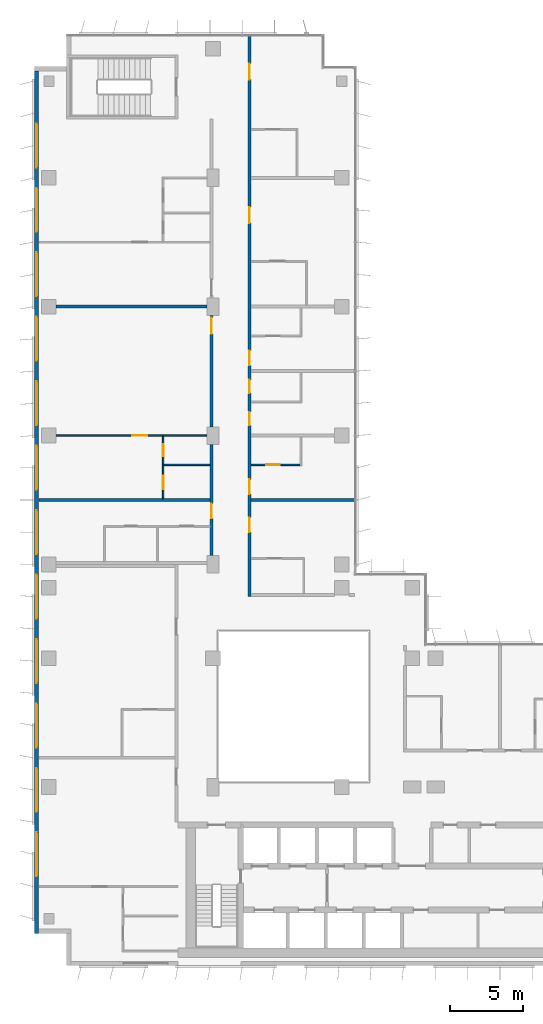
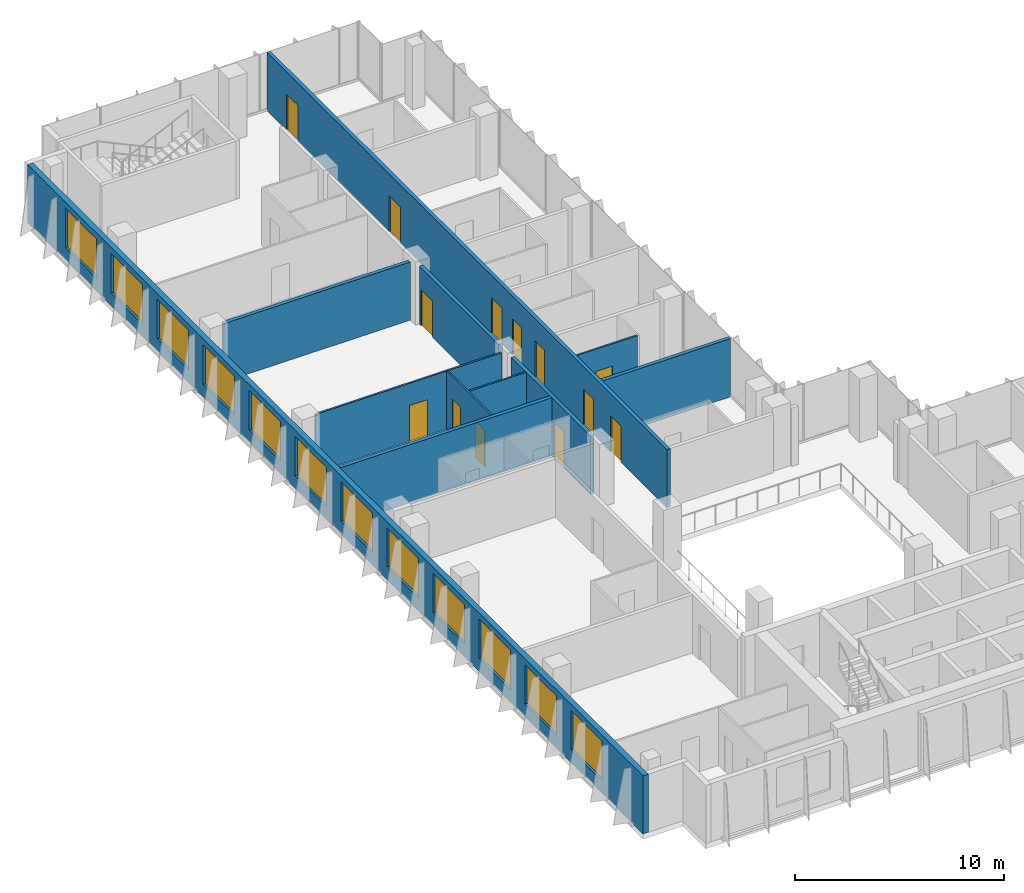
# One storey, part 16 of 21: 13 doors, 12 windows, 11 walls, 25 openings.
"""IFC4 building model written with IfcOpenShell, lengths in metres."""

from ifc_helpers import new_model, si_unit, direction, frame, frame_2d, origin, place, context, subcontext, project, spatial, rectangle, extrude, material, layer, layer_set, type_object, element, fill, save


model = new_model("IFC4")

# Units and contexts
model_context = context("Model", 3, precision=1e-05, world=origin(), true_north=direction((0.0, 1.0)))
body_context = subcontext(model_context, "Body", "Model", "MODEL_VIEW")
ifc_project = project(units=[si_unit("LENGTHUNIT", "METRE"), si_unit("AREAUNIT", "SQUARE_METRE"), si_unit("VOLUMEUNIT", "CUBIC_METRE"), si_unit("PLANEANGLEUNIT", "RADIAN"), si_unit("MASSUNIT", "GRAM", prefix="KILO")], contexts=[model_context])

# Site, building, storey
site_placement = place(None, origin())
site = spatial("IfcSite", under=ifc_project, at=site_placement, CompositionType="ELEMENT")
building_placement = place(site_placement, origin())
building = spatial("IfcBuilding", under=site, at=building_placement, Name="Kemantara Hotel Tower", CompositionType="ELEMENT")
storey_placement = place(building_placement, frame((0.0, 0.0, 171.60009765625)))
storey = spatial("IfcBuildingStorey", under=building, at=storey_placement, Name="L42", CompositionType="ELEMENT", Elevation=171.60009765625)

# Wall, openings, windows
ifc_material_1 = material(Name="Bronze anodised aluminium cladding on insulated steel stud wall", Category="steel")
ifc_layer_1 = layer(ifc_material_1, 0.300048828125)
ifc_layer_set_1 = layer_set([ifc_layer_1], Name="Bronze anodised aluminium cladding on insulated steel stud wall")
wall_type_1 = type_object("IfcWallType", Name="BRONZE METAL-CLAD EXTERNAL WALL 300", PredefinedType="STANDARD", material=ifc_layer_set_1)
wall_1_placement = place(storey_placement, frame((0.14990234375, 61.10009765625, 0.0), z_axis=(0.0, 0.0, 1.0), x_axis=(0.0, -1.0, 0.0)))
wall_1 = element("IfcWall", 1, at=wall_1_placement, inside=storey, type_object=wall_type_1, Name="EXTERNAL WALL L42 T3-R05", PredefinedType="STANDARD", context=body_context, shape_type="SweptSolid", body=[
    extrude(rectangle(XDim=58.900146484375, YDim=0.300048828125, at=frame_2d((29.4501953125, 0.0))), origin(), (0.0, 0.0, 1.0), 3.39990234375),
])
opening_1_placement = place(wall_1_placement, frame((3.60009765625, 0.0, 0.75)))
opening_1 = element("IfcOpeningElement", 2, at=opening_1_placement, cuts=wall_1, Name="Opening W1", PredefinedType="OPENING", context=body_context, shape_type="SweptSolid", body=[
    extrude(rectangle(XDim=3.0, YDim=2.300048828125, at=frame_2d((1.5, 1.14990234375))), frame((0.0, 0.159912109375, 0.0), z_axis=(0.0, -1.0, 0.0), x_axis=(1.0, 0.0, 0.0)), (0.0, 0.0, 1.0), 0.320068359375),
])
opening_2_placement = place(wall_1_placement, frame((8.0, 0.0, 0.75)))
opening_2 = element("IfcOpeningElement", 3, at=opening_2_placement, cuts=wall_1, Name="Opening W1", PredefinedType="OPENING", context=body_context, shape_type="SweptSolid", body=[
    extrude(rectangle(XDim=3.0, YDim=2.300048828125, at=frame_2d((1.5, 1.14990234375))), frame((0.0, 0.159912109375, 0.0), z_axis=(0.0, -1.0, 0.0), x_axis=(1.0, 0.0, 0.0)), (0.0, 0.0, 1.0), 0.320068359375),
])
opening_3_placement = place(wall_1_placement, frame((12.39990234375, 0.0, 0.75)))
opening_3 = element("IfcOpeningElement", 4, at=opening_3_placement, cuts=wall_1, Name="Opening W1", PredefinedType="OPENING", context=body_context, shape_type="SweptSolid", body=[
    extrude(rectangle(XDim=3.0, YDim=2.300048828125, at=frame_2d((1.5, 1.14990234375))), frame((0.0, 0.159912109375, 0.0), z_axis=(0.0, -1.0, 0.0), x_axis=(1.0, 0.0, 0.0)), (0.0, 0.0, 1.0), 0.320068359375),
])
opening_4_placement = place(wall_1_placement, frame((16.800048828125, 0.0, 0.75)))
opening_4 = element("IfcOpeningElement", 5, at=opening_4_placement, cuts=wall_1, Name="Opening W1", PredefinedType="OPENING", context=body_context, shape_type="SweptSolid", body=[
    extrude(rectangle(XDim=3.0, YDim=2.300048828125, at=frame_2d((1.5, 1.14990234375))), frame((0.0, 0.159912109375, 0.0), z_axis=(0.0, -1.0, 0.0), x_axis=(1.0, 0.0, 0.0)), (0.0, 0.0, 1.0), 0.320068359375),
])
opening_5_placement = place(wall_1_placement, frame((21.199951171875, 0.0, 0.75)))
opening_5 = element("IfcOpeningElement", 6, at=opening_5_placement, cuts=wall_1, Name="Opening W1", PredefinedType="OPENING", context=body_context, shape_type="SweptSolid", body=[
    extrude(rectangle(XDim=3.0, YDim=2.300048828125, at=frame_2d((1.5, 1.14990234375))), frame((0.0, 0.159912109375, 0.0), z_axis=(0.0, -1.0, 0.0), x_axis=(1.0, 0.0, 0.0)), (0.0, 0.0, 1.0), 0.320068359375),
])
opening_6_placement = place(wall_1_placement, frame((25.60009765625, 0.0, 0.75)))
opening_6 = element("IfcOpeningElement", 7, at=opening_6_placement, cuts=wall_1, Name="Opening W1", PredefinedType="OPENING", context=body_context, shape_type="SweptSolid", body=[
    extrude(rectangle(XDim=3.0, YDim=2.300048828125, at=frame_2d((1.5, 1.14990234375))), frame((0.0, 0.159912109375, 0.0), z_axis=(0.0, -1.0, 0.0), x_axis=(1.0, 0.0, 0.0)), (0.0, 0.0, 1.0), 0.320068359375),
])
opening_7_placement = place(wall_1_placement, frame((30.0, 0.0, 0.75)))
opening_7 = element("IfcOpeningElement", 8, at=opening_7_placement, cuts=wall_1, Name="Opening W1", PredefinedType="OPENING", context=body_context, shape_type="SweptSolid", body=[
    extrude(rectangle(XDim=3.0, YDim=2.300048828125, at=frame_2d((1.5, 1.14990234375))), frame((0.0, 0.159912109375, 0.0), z_axis=(0.0, -1.0, 0.0), x_axis=(1.0, 0.0, 0.0)), (0.0, 0.0, 1.0), 0.320068359375),
])
opening_8_placement = place(wall_1_placement, frame((34.39990234375, 0.0, 0.75)))
opening_8 = element("IfcOpeningElement", 9, at=opening_8_placement, cuts=wall_1, Name="Opening W1", PredefinedType="OPENING", context=body_context, shape_type="SweptSolid", body=[
    extrude(rectangle(XDim=3.0, YDim=2.300048828125, at=frame_2d((1.5, 1.14990234375))), frame((0.0, 0.159912109375, 0.0), z_axis=(0.0, -1.0, 0.0), x_axis=(1.0, 0.0, 0.0)), (0.0, 0.0, 1.0), 0.320068359375),
])
opening_9_placement = place(wall_1_placement, frame((38.800048828125, 0.0, 0.75)))
opening_9 = element("IfcOpeningElement", 10, at=opening_9_placement, cuts=wall_1, Name="Opening W1", PredefinedType="OPENING", context=body_context, shape_type="SweptSolid", body=[
    extrude(rectangle(XDim=3.0, YDim=2.300048828125, at=frame_2d((1.5, 1.14990234375))), frame((0.0, 0.159912109375, 0.0), z_axis=(0.0, -1.0, 0.0), x_axis=(1.0, 0.0, 0.0)), (0.0, 0.0, 1.0), 0.320068359375),
])
opening_10_placement = place(wall_1_placement, frame((43.199951171875, 0.0, 0.75)))
opening_10 = element("IfcOpeningElement", 11, at=opening_10_placement, cuts=wall_1, Name="Opening W1", PredefinedType="OPENING", context=body_context, shape_type="SweptSolid", body=[
    extrude(rectangle(XDim=3.0, YDim=2.300048828125, at=frame_2d((1.5, 1.14990234375))), frame((0.0, 0.159912109375, 0.0), z_axis=(0.0, -1.0, 0.0), x_axis=(1.0, 0.0, 0.0)), (0.0, 0.0, 1.0), 0.320068359375),
])
opening_11_placement = place(wall_1_placement, frame((47.60009765625, 0.0, 0.75)))
opening_11 = element("IfcOpeningElement", 12, at=opening_11_placement, cuts=wall_1, Name="Opening W1", PredefinedType="OPENING", context=body_context, shape_type="SweptSolid", body=[
    extrude(rectangle(XDim=3.0, YDim=2.300048828125, at=frame_2d((1.5, 1.14990234375))), frame((0.0, 0.159912109375, 0.0), z_axis=(0.0, -1.0, 0.0), x_axis=(1.0, 0.0, 0.0)), (0.0, 0.0, 1.0), 0.320068359375),
])
opening_12_placement = place(wall_1_placement, frame((52.0, 0.0, 0.75)))
opening_12 = element("IfcOpeningElement", 13, at=opening_12_placement, cuts=wall_1, Name="Opening W1", PredefinedType="OPENING", context=body_context, shape_type="SweptSolid", body=[
    extrude(rectangle(XDim=3.0, YDim=2.300048828125, at=frame_2d((1.5, 1.14990234375))), frame((0.0, 0.159912109375, 0.0), z_axis=(0.0, -1.0, 0.0), x_axis=(1.0, 0.0, 0.0)), (0.0, 0.0, 1.0), 0.320068359375),
])
ifc_material_2 = material(Name="Low-E tinted double insulated glass in bronze anodised aluminium frame", Category="aluminium")
window_type = type_object("IfcWindowType", Name="CHICAGO WINDOW, TRIPLE PANEL 3000x2300", PartitioningType="TRIPLE_PANEL_VERTICAL", PredefinedType="WINDOW", material=ifc_material_2)
window_1_placement = place(opening_1_placement, origin())
window_1 = element("IfcWindow", 14, at=window_1_placement, inside=storey, type_object=window_type, Name="CHICAGO WINDOW L42 T3-R05-54", OverallHeight=2.300048828125, OverallWidth=3.0, PartitioningType="SINGLE_PANEL", PredefinedType="WINDOW", context=body_context, shape_type="SweptSolid", body=[
    extrude(rectangle(XDim=3.0, YDim=2.300048828125, at=frame_2d((1.5, 1.14990234375))), frame((0.0, 0.030029296875, 0.0), z_axis=(0.0, -1.0, 0.0), x_axis=(1.0, 0.0, 0.0)), (0.0, 0.0, 1.0), 0.06005859375),
])
fill(opening_1, window_1)
window_2_placement = place(opening_2_placement, origin())
window_2 = element("IfcWindow", 15, at=window_2_placement, inside=storey, type_object=window_type, Name="CHICAGO WINDOW L42 T3-R05-98", OverallHeight=2.300048828125, OverallWidth=3.0, PartitioningType="SINGLE_PANEL", PredefinedType="WINDOW", context=body_context, shape_type="SweptSolid", body=[
    extrude(rectangle(XDim=3.0, YDim=2.300048828125, at=frame_2d((1.5, 1.14990234375))), frame((0.0, 0.030029296875, 0.0), z_axis=(0.0, -1.0, 0.0), x_axis=(1.0, 0.0, 0.0)), (0.0, 0.0, 1.0), 0.06005859375),
])
fill(opening_2, window_2)
window_3_placement = place(opening_3_placement, origin())
window_3 = element("IfcWindow", 16, at=window_3_placement, inside=storey, type_object=window_type, Name="CHICAGO WINDOW L42 T3-R05-142", OverallHeight=2.300048828125, OverallWidth=3.0, PartitioningType="SINGLE_PANEL", PredefinedType="WINDOW", context=body_context, shape_type="SweptSolid", body=[
    extrude(rectangle(XDim=3.0, YDim=2.300048828125, at=frame_2d((1.5, 1.14990234375))), frame((0.0, 0.030029296875, 0.0), z_axis=(0.0, -1.0, 0.0), x_axis=(1.0, 0.0, 0.0)), (0.0, 0.0, 1.0), 0.06005859375),
])
fill(opening_3, window_3)
window_4_placement = place(opening_4_placement, origin())
window_4 = element("IfcWindow", 17, at=window_4_placement, inside=storey, type_object=window_type, Name="CHICAGO WINDOW L42 T3-R05-186", OverallHeight=2.300048828125, OverallWidth=3.0, PartitioningType="SINGLE_PANEL", PredefinedType="WINDOW", context=body_context, shape_type="SweptSolid", body=[
    extrude(rectangle(XDim=3.0, YDim=2.300048828125, at=frame_2d((1.5, 1.14990234375))), frame((0.0, 0.030029296875, 0.0), z_axis=(0.0, -1.0, 0.0), x_axis=(1.0, 0.0, 0.0)), (0.0, 0.0, 1.0), 0.06005859375),
])
fill(opening_4, window_4)
window_5_placement = place(opening_5_placement, origin())
window_5 = element("IfcWindow", 18, at=window_5_placement, inside=storey, type_object=window_type, Name="CHICAGO WINDOW L42 T3-R05-230", OverallHeight=2.300048828125, OverallWidth=3.0, PartitioningType="SINGLE_PANEL", PredefinedType="WINDOW", context=body_context, shape_type="SweptSolid", body=[
    extrude(rectangle(XDim=3.0, YDim=2.300048828125, at=frame_2d((1.5, 1.14990234375))), frame((0.0, 0.030029296875, 0.0), z_axis=(0.0, -1.0, 0.0), x_axis=(1.0, 0.0, 0.0)), (0.0, 0.0, 1.0), 0.06005859375),
])
fill(opening_5, window_5)
window_6_placement = place(opening_6_placement, origin())
window_6 = element("IfcWindow", 19, at=window_6_placement, inside=storey, type_object=window_type, Name="CHICAGO WINDOW L42 T3-R05-274", OverallHeight=2.300048828125, OverallWidth=3.0, PartitioningType="SINGLE_PANEL", PredefinedType="WINDOW", context=body_context, shape_type="SweptSolid", body=[
    extrude(rectangle(XDim=3.0, YDim=2.300048828125, at=frame_2d((1.5, 1.14990234375))), frame((0.0, 0.030029296875, 0.0), z_axis=(0.0, -1.0, 0.0), x_axis=(1.0, 0.0, 0.0)), (0.0, 0.0, 1.0), 0.06005859375),
])
fill(opening_6, window_6)
window_7_placement = place(opening_7_placement, origin())
window_7 = element("IfcWindow", 20, at=window_7_placement, inside=storey, type_object=window_type, Name="CHICAGO WINDOW L42 T3-R05-318", OverallHeight=2.300048828125, OverallWidth=3.0, PartitioningType="SINGLE_PANEL", PredefinedType="WINDOW", context=body_context, shape_type="SweptSolid", body=[
    extrude(rectangle(XDim=3.0, YDim=2.300048828125, at=frame_2d((1.5, 1.14990234375))), frame((0.0, 0.030029296875, 0.0), z_axis=(0.0, -1.0, 0.0), x_axis=(1.0, 0.0, 0.0)), (0.0, 0.0, 1.0), 0.06005859375),
])
fill(opening_7, window_7)
window_8_placement = place(opening_8_placement, origin())
window_8 = element("IfcWindow", 21, at=window_8_placement, inside=storey, type_object=window_type, Name="CHICAGO WINDOW L42 T3-R05-362", OverallHeight=2.300048828125, OverallWidth=3.0, PartitioningType="SINGLE_PANEL", PredefinedType="WINDOW", context=body_context, shape_type="SweptSolid", body=[
    extrude(rectangle(XDim=3.0, YDim=2.300048828125, at=frame_2d((1.5, 1.14990234375))), frame((0.0, 0.030029296875, 0.0), z_axis=(0.0, -1.0, 0.0), x_axis=(1.0, 0.0, 0.0)), (0.0, 0.0, 1.0), 0.06005859375),
])
fill(opening_8, window_8)
window_9_placement = place(opening_9_placement, origin())
window_9 = element("IfcWindow", 22, at=window_9_placement, inside=storey, type_object=window_type, Name="CHICAGO WINDOW L42 T3-R05-406", OverallHeight=2.300048828125, OverallWidth=3.0, PartitioningType="SINGLE_PANEL", PredefinedType="WINDOW", context=body_context, shape_type="SweptSolid", body=[
    extrude(rectangle(XDim=3.0, YDim=2.300048828125, at=frame_2d((1.5, 1.14990234375))), frame((0.0, 0.030029296875, 0.0), z_axis=(0.0, -1.0, 0.0), x_axis=(1.0, 0.0, 0.0)), (0.0, 0.0, 1.0), 0.06005859375),
])
fill(opening_9, window_9)
window_10_placement = place(opening_10_placement, origin())
window_10 = element("IfcWindow", 23, at=window_10_placement, inside=storey, type_object=window_type, Name="CHICAGO WINDOW L42 T3-R05-450", OverallHeight=2.300048828125, OverallWidth=3.0, PartitioningType="SINGLE_PANEL", PredefinedType="WINDOW", context=body_context, shape_type="SweptSolid", body=[
    extrude(rectangle(XDim=3.0, YDim=2.300048828125, at=frame_2d((1.5, 1.14990234375))), frame((0.0, 0.030029296875, 0.0), z_axis=(0.0, -1.0, 0.0), x_axis=(1.0, 0.0, 0.0)), (0.0, 0.0, 1.0), 0.06005859375),
])
fill(opening_10, window_10)
window_11_placement = place(opening_11_placement, origin())
window_11 = element("IfcWindow", 24, at=window_11_placement, inside=storey, type_object=window_type, Name="CHICAGO WINDOW L42 T3-R05-494", OverallHeight=2.300048828125, OverallWidth=3.0, PartitioningType="SINGLE_PANEL", PredefinedType="WINDOW", context=body_context, shape_type="SweptSolid", body=[
    extrude(rectangle(XDim=3.0, YDim=2.300048828125, at=frame_2d((1.5, 1.14990234375))), frame((0.0, 0.030029296875, 0.0), z_axis=(0.0, -1.0, 0.0), x_axis=(1.0, 0.0, 0.0)), (0.0, 0.0, 1.0), 0.06005859375),
])
fill(opening_11, window_11)
window_12_placement = place(opening_12_placement, origin())
window_12 = element("IfcWindow", 25, at=window_12_placement, inside=storey, type_object=window_type, Name="CHICAGO WINDOW L42 T3-R05-538", OverallHeight=2.300048828125, OverallWidth=3.0, PartitioningType="SINGLE_PANEL", PredefinedType="WINDOW", context=body_context, shape_type="SweptSolid", body=[
    extrude(rectangle(XDim=3.0, YDim=2.300048828125, at=frame_2d((1.5, 1.14990234375))), frame((0.0, 0.030029296875, 0.0), z_axis=(0.0, -1.0, 0.0), x_axis=(1.0, 0.0, 0.0)), (0.0, 0.0, 1.0), 0.06005859375),
])
fill(opening_12, window_12)

# Wall, opening, door
ifc_material_3 = material(Name="Gypsum board partition, steel studs and mineral wool, 200 mm", Category="steel")
ifc_layer_2 = layer(ifc_material_3, 0.199951171875)
ifc_layer_set_2 = layer_set([ifc_layer_2], Name="Gypsum board partition, steel studs and mineral wool, 200 mm")
wall_type_2 = type_object("IfcWallType", Name="CORRIDOR WALL 200", PredefinedType="PARTITIONING", material=ifc_layer_set_2)
wall_2_placement = place(storey_placement, frame((12.10009765625, 28.0, 0.0), z_axis=(0.0, 0.0, 1.0), x_axis=(0.0, 1.0, 0.0)))
wall_2 = element("IfcWall", 26, at=wall_2_placement, inside=storey, type_object=wall_type_2, Name="CORRIDOR WALL 200 016", PredefinedType="PARTITIONING", context=body_context, shape_type="SweptSolid", body=[
    extrude(rectangle(XDim=7.599853515625, YDim=0.199951171875, at=frame_2d((3.7998046875, 0.0))), origin(), (0.0, 0.0, 1.0), 3.39990234375),
])
opening_13_placement = place(wall_2_placement, frame((2.5498046875, 0.0, 0.0)))
opening_13 = element("IfcOpeningElement", 27, at=opening_13_placement, cuts=wall_2, Name="Opening F19-023", PredefinedType="OPENING", context=body_context, shape_type="SweptSolid", body=[
    extrude(rectangle(XDim=1.0, YDim=2.10009765625, at=frame_2d((0.5, 1.050048828125))), frame((0.0, 0.10986328125, 0.0), z_axis=(0.0, -1.0, 0.0), x_axis=(1.0, 0.0, 0.0)), (0.0, 0.0, 1.0), 0.219970703125),
])
ifc_material_4 = material(Name="Hardwood veneer door leaf with steel frame", Category="steel")
door_type_1 = type_object("IfcDoorType", Name="GUEST ROOM DOOR 1000 X 2100 FD30S", OperationType="NOTDEFINED", PredefinedType="DOOR", material=ifc_material_4)
door_1_placement = place(opening_13_placement, origin())
door_1 = element("IfcDoor", 28, at=door_1_placement, inside=storey, type_object=door_type_1, Name="GUEST ROOM DOOR F19-023", OperationType="SINGLE_SWING_RIGHT", OverallHeight=2.10009765625, OverallWidth=1.0, PredefinedType="DOOR", context=body_context, shape_type="SweptSolid", body=[
    extrude(rectangle(XDim=1.0, YDim=2.10009765625, at=frame_2d((0.5, 1.050048828125))), frame((0.0, 0.02490234375, 0.0), z_axis=(0.0, -1.0, 0.0), x_axis=(1.0, 0.0, 0.0)), (0.0, 0.0, 1.0), 0.050048828125),
])
fill(opening_13, door_1)

wall_3_placement = place(storey_placement, frame((12.10009765625, 36.800048828125, 0.0), z_axis=(0.0, 0.0, 1.0), x_axis=(0.0, 1.0, 0.0)))
wall_3 = element("IfcWall", 29, at=wall_3_placement, inside=storey, type_object=wall_type_2, Name="CORRIDOR WALL 200 017", PredefinedType="PARTITIONING", context=body_context, shape_type="SweptSolid", body=[
    extrude(rectangle(XDim=7.599853515625, YDim=0.199951171875, at=frame_2d((3.7998046875, 0.0))), origin(), (0.0, 0.0, 1.0), 3.39990234375),
])
opening_14_placement = place(wall_3_placement, frame((6.349853515625, 0.0, 0.0)))
opening_14 = element("IfcOpeningElement", 30, at=opening_14_placement, cuts=wall_3, Name="Opening F19-026", PredefinedType="OPENING", context=body_context, shape_type="SweptSolid", body=[
    extrude(rectangle(XDim=1.10009765625, YDim=2.10009765625, at=frame_2d((0.550048828125, 1.050048828125))), frame((0.0, 0.10986328125, 0.0), z_axis=(0.0, -1.0, 0.0), x_axis=(1.0, 0.0, 0.0)), (0.0, 0.0, 1.0), 0.219970703125),
])
door_type_2 = type_object("IfcDoorType", Name="SUITE ENTRANCE DOOR 1100 X 2100 FD30S", OperationType="NOTDEFINED", PredefinedType="DOOR", material=ifc_material_4)
door_2_placement = place(opening_14_placement, origin())
door_2 = element("IfcDoor", 31, at=door_2_placement, inside=storey, type_object=door_type_2, Name="SUITE ENTRANCE DOOR F19-026", OperationType="SINGLE_SWING_RIGHT", OverallHeight=2.10009765625, OverallWidth=1.10009765625, PredefinedType="DOOR", context=body_context, shape_type="SweptSolid", body=[
    extrude(rectangle(XDim=1.10009765625, YDim=2.10009765625, at=frame_2d((0.550048828125, 1.050048828125))), frame((0.0, 0.02490234375, 0.0), z_axis=(0.0, -1.0, 0.0), x_axis=(1.0, 0.0, 0.0)), (0.0, 0.0, 1.0), 0.050048828125),
])
fill(opening_14, door_2)

# Wall, openings, doors
wall_4_placement = place(storey_placement, frame((14.699951171875, 63.47998046875, 0.0), z_axis=(0.0, 0.0, 1.0), x_axis=(0.0, -1.0, 0.0)))
wall_4 = element("IfcWall", 32, at=wall_4_placement, inside=storey, type_object=wall_type_2, Name="CORRIDOR WALL 200 025", PredefinedType="PARTITIONING", context=body_context, shape_type="SweptSolid", body=[
    extrude(rectangle(XDim=38.280029296875, YDim=0.199951171875, at=frame_2d((19.14013671875, 0.0))), origin(), (0.0, 0.0, 1.0), 3.39990234375),
])
opening_15_placement = place(wall_4_placement, frame((32.8798828125, 0.0, 0.0)))
opening_15 = element("IfcOpeningElement", 33, at=opening_15_placement, cuts=wall_4, Name="Opening F19-034", PredefinedType="OPENING", context=body_context, shape_type="SweptSolid", body=[
    extrude(rectangle(XDim=1.0, YDim=2.10009765625, at=frame_2d((0.5, 1.050048828125))), frame((0.0, 0.10986328125, 0.0), z_axis=(0.0, -1.0, 0.0), x_axis=(1.0, 0.0, 0.0)), (0.0, 0.0, 1.0), 0.219970703125),
])
opening_16_placement = place(wall_4_placement, frame((30.27978515625, 0.0, 0.0)))
opening_16 = element("IfcOpeningElement", 34, at=opening_16_placement, cuts=wall_4, Name="Opening F19-036", PredefinedType="OPENING", context=body_context, shape_type="SweptSolid", body=[
    extrude(rectangle(XDim=1.0, YDim=2.10009765625, at=frame_2d((0.5, 1.050048828125))), frame((0.0, 0.10986328125, 0.0), z_axis=(0.0, -1.0, 0.0), x_axis=(1.0, 0.0, 0.0)), (0.0, 0.0, 1.0), 0.219970703125),
])
opening_17_placement = place(wall_4_placement, frame((25.679931640625, 0.0, 0.0)))
opening_17 = element("IfcOpeningElement", 35, at=opening_17_placement, cuts=wall_4, Name="Opening F19-038", PredefinedType="OPENING", context=body_context, shape_type="SweptSolid", body=[
    extrude(rectangle(XDim=0.89990234375, YDim=2.10009765625, at=frame_2d((0.449951171875, 1.050048828125))), frame((0.0, 0.10986328125, 0.0), z_axis=(0.0, -1.0, 0.0), x_axis=(1.0, 0.0, 0.0)), (0.0, 0.0, 1.0), 0.219970703125),
])
opening_18_placement = place(wall_4_placement, frame((23.47998046875, 0.0, 0.0)))
opening_18 = element("IfcOpeningElement", 36, at=opening_18_placement, cuts=wall_4, Name="Opening F19-039", PredefinedType="OPENING", context=body_context, shape_type="SweptSolid", body=[
    extrude(rectangle(XDim=0.89990234375, YDim=2.10009765625, at=frame_2d((0.449951171875, 1.050048828125))), frame((0.0, 0.10986328125, 0.0), z_axis=(0.0, -1.0, 0.0), x_axis=(1.0, 0.0, 0.0)), (0.0, 0.0, 1.0), 0.219970703125),
])
opening_19_placement = place(wall_4_placement, frame((21.47998046875, 0.0, 0.0)))
opening_19 = element("IfcOpeningElement", 37, at=opening_19_placement, cuts=wall_4, Name="Opening F19-040", PredefinedType="OPENING", context=body_context, shape_type="SweptSolid", body=[
    extrude(rectangle(XDim=1.0, YDim=2.10009765625, at=frame_2d((0.5, 1.050048828125))), frame((0.0, 0.10986328125, 0.0), z_axis=(0.0, -1.0, 0.0), x_axis=(1.0, 0.0, 0.0)), (0.0, 0.0, 1.0), 0.219970703125),
])
opening_20_placement = place(wall_4_placement, frame((11.679931640625, 0.0, 0.0)))
opening_20 = element("IfcOpeningElement", 38, at=opening_20_placement, cuts=wall_4, Name="Opening F19-042", PredefinedType="OPENING", context=body_context, shape_type="SweptSolid", body=[
    extrude(rectangle(XDim=1.10009765625, YDim=2.10009765625, at=frame_2d((0.550048828125, 1.050048828125))), frame((0.0, 0.10986328125, 0.0), z_axis=(0.0, -1.0, 0.0), x_axis=(1.0, 0.0, 0.0)), (0.0, 0.0, 1.0), 0.219970703125),
])
opening_21_placement = place(wall_4_placement, frame((1.8798828125, 0.0, 0.0)))
opening_21 = element("IfcOpeningElement", 39, at=opening_21_placement, cuts=wall_4, Name="Opening F19-044", PredefinedType="OPENING", context=body_context, shape_type="SweptSolid", body=[
    extrude(rectangle(XDim=1.10009765625, YDim=2.10009765625, at=frame_2d((0.550048828125, 1.050048828125))), frame((0.0, 0.10986328125, 0.0), z_axis=(0.0, -1.0, 0.0), x_axis=(1.0, 0.0, 0.0)), (0.0, 0.0, 1.0), 0.219970703125),
])
door_3_placement = place(opening_15_placement, origin())
door_3 = element("IfcDoor", 40, at=door_3_placement, inside=storey, type_object=door_type_1, Name="GUEST ROOM DOOR F19-034", OperationType="SINGLE_SWING_LEFT", OverallHeight=2.10009765625, OverallWidth=1.0, PredefinedType="DOOR", context=body_context, shape_type="SweptSolid", body=[
    extrude(rectangle(XDim=1.0, YDim=2.10009765625, at=frame_2d((0.5, 1.050048828125))), frame((0.0, 0.02490234375, 0.0), z_axis=(0.0, -1.0, 0.0), x_axis=(1.0, 0.0, 0.0)), (0.0, 0.0, 1.0), 0.050048828125),
])
fill(opening_15, door_3)
door_4_placement = place(opening_16_placement, origin())
door_4 = element("IfcDoor", 41, at=door_4_placement, inside=storey, type_object=door_type_1, Name="GUEST ROOM DOOR F19-036", OperationType="SINGLE_SWING_RIGHT", OverallHeight=2.10009765625, OverallWidth=1.0, PredefinedType="DOOR", context=body_context, shape_type="SweptSolid", body=[
    extrude(rectangle(XDim=1.0, YDim=2.10009765625, at=frame_2d((0.5, 1.050048828125))), frame((0.0, 0.02490234375, 0.0), z_axis=(0.0, -1.0, 0.0), x_axis=(1.0, 0.0, 0.0)), (0.0, 0.0, 1.0), 0.050048828125),
])
fill(opening_16, door_4)
door_5_placement = place(opening_19_placement, origin())
door_5 = element("IfcDoor", 42, at=door_5_placement, inside=storey, type_object=door_type_1, Name="GUEST ROOM DOOR F19-040", OperationType="SINGLE_SWING_RIGHT", OverallHeight=2.10009765625, OverallWidth=1.0, PredefinedType="DOOR", context=body_context, shape_type="SweptSolid", body=[
    extrude(rectangle(XDim=1.0, YDim=2.10009765625, at=frame_2d((0.5, 1.050048828125))), frame((0.0, 0.02490234375, 0.0), z_axis=(0.0, -1.0, 0.0), x_axis=(1.0, 0.0, 0.0)), (0.0, 0.0, 1.0), 0.050048828125),
])
fill(opening_19, door_5)
door_type_3 = type_object("IfcDoorType", Name="GUEST ROOM DOOR 1100 X 2100 FD30S", OperationType="NOTDEFINED", PredefinedType="DOOR", material=ifc_material_4)
door_6_placement = place(opening_20_placement, origin())
door_6 = element("IfcDoor", 43, at=door_6_placement, inside=storey, type_object=door_type_3, Name="GUEST ROOM DOOR F19-042", OperationType="SINGLE_SWING_LEFT", OverallHeight=2.10009765625, OverallWidth=1.10009765625, PredefinedType="DOOR", context=body_context, shape_type="SweptSolid", body=[
    extrude(rectangle(XDim=1.10009765625, YDim=2.10009765625, at=frame_2d((0.550048828125, 1.050048828125))), frame((0.0, 0.02490234375, 0.0), z_axis=(0.0, -1.0, 0.0), x_axis=(1.0, 0.0, 0.0)), (0.0, 0.0, 1.0), 0.050048828125),
])
fill(opening_20, door_6)
ifc_material_5 = material(Name="Steel door leaf with steel frame", Category="steel")
door_type_4 = type_object("IfcDoorType", Name="SERVICE ROOM DOOR 900 X 2100 FD60", OperationType="NOTDEFINED", PredefinedType="DOOR", material=ifc_material_5)
door_7_placement = place(opening_17_placement, origin())
door_7 = element("IfcDoor", 44, at=door_7_placement, inside=storey, type_object=door_type_4, Name="SERVICE ROOM DOOR F19-038", OperationType="SINGLE_SWING_RIGHT", OverallHeight=2.10009765625, OverallWidth=0.89990234375, PredefinedType="DOOR", context=body_context, shape_type="SweptSolid", body=[
    extrude(rectangle(XDim=0.89990234375, YDim=2.10009765625, at=frame_2d((0.449951171875, 1.050048828125))), frame((0.0, 0.02490234375, 0.0), z_axis=(0.0, -1.0, 0.0), x_axis=(1.0, 0.0, 0.0)), (0.0, 0.0, 1.0), 0.050048828125),
])
fill(opening_17, door_7)
door_8_placement = place(opening_18_placement, origin())
door_8 = element("IfcDoor", 45, at=door_8_placement, inside=storey, type_object=door_type_4, Name="SERVICE ROOM DOOR F19-039", OperationType="SINGLE_SWING_LEFT", OverallHeight=2.10009765625, OverallWidth=0.89990234375, PredefinedType="DOOR", context=body_context, shape_type="SweptSolid", body=[
    extrude(rectangle(XDim=0.89990234375, YDim=2.10009765625, at=frame_2d((0.449951171875, 1.050048828125))), frame((0.0, 0.02490234375, 0.0), z_axis=(0.0, -1.0, 0.0), x_axis=(1.0, 0.0, 0.0)), (0.0, 0.0, 1.0), 0.050048828125),
])
fill(opening_18, door_8)
door_9_placement = place(opening_21_placement, origin())
door_9 = element("IfcDoor", 46, at=door_9_placement, inside=storey, type_object=door_type_2, Name="SUITE ENTRANCE DOOR F19-044", OperationType="SINGLE_SWING_LEFT", OverallHeight=2.10009765625, OverallWidth=1.10009765625, PredefinedType="DOOR", context=body_context, shape_type="SweptSolid", body=[
    extrude(rectangle(XDim=1.10009765625, YDim=2.10009765625, at=frame_2d((0.550048828125, 1.050048828125))), frame((0.0, 0.02490234375, 0.0), z_axis=(0.0, -1.0, 0.0), x_axis=(1.0, 0.0, 0.0)), (0.0, 0.0, 1.0), 0.050048828125),
])
fill(opening_21, door_9)

# Walls
ifc_layer_3 = layer(ifc_material_3, 0.199951171875)
ifc_layer_set_3 = layer_set([ifc_layer_3], Name="Gypsum board partition, steel studs and mineral wool, 200 mm")
wall_type_3 = type_object("IfcWallType", Name="GUEST ROOM PARTY WALL 200", PredefinedType="PARTITIONING", material=ifc_layer_set_3)
wall_5_placement = place(storey_placement, frame((0.31005859375, 31.800048828125, 0.0), z_axis=(0.0, 0.0, 1.0), x_axis=(1.0, 0.0, 0.0)))
element("IfcWall", 47, at=wall_5_placement, inside=storey, type_object=wall_type_3, Name="GUEST ROOM PARTY WALL 200 021", PredefinedType="PARTITIONING", context=body_context, shape_type="SweptSolid", body=[
    extrude(rectangle(XDim=11.68994140625, YDim=0.199951171875, at=frame_2d((5.844970703125, 0.0))), origin(), (0.0, 0.0, 1.0), 3.39990234375),
])
wall_6_placement = place(storey_placement, frame((14.800048828125, 31.800048828125, 0.0), z_axis=(0.0, 0.0, 1.0), x_axis=(1.0, 0.0, 0.0)))
element("IfcWall", 48, at=wall_6_placement, inside=storey, type_object=wall_type_3, Name="GUEST ROOM PARTY WALL 200 022", PredefinedType="PARTITIONING", context=body_context, shape_type="SweptSolid", body=[
    extrude(rectangle(XDim=7.070068359375, YDim=0.199951171875, at=frame_2d((3.53515625, 0.0))), origin(), (0.0, 0.0, 1.0), 3.39990234375),
])
wall_7_placement = place(storey_placement, frame((1.5, 45.0, 0.0), z_axis=(0.0, 0.0, 1.0), x_axis=(1.0, 0.0, 0.0)))
element("IfcWall", 49, at=wall_7_placement, inside=storey, type_object=wall_type_3, Name="GUEST ROOM PARTY WALL 200 023", PredefinedType="PARTITIONING", context=body_context, shape_type="SweptSolid", body=[
    extrude(rectangle(XDim=10.2998046875, YDim=0.199951171875, at=frame_2d((5.14990234375, 0.0))), origin(), (0.0, 0.0, 1.0), 3.39990234375),
])

# Wall, openings, doors
ifc_material_6 = material(Name="Gypsum board partition on steel studs, 100 mm", Category="steel")
ifc_layer_4 = layer(ifc_material_6, 0.10009765625)
ifc_layer_set_4 = layer_set([ifc_layer_4], Name="Gypsum board partition on steel studs, 100 mm")
wall_type_4 = type_object("IfcWallType", Name="ROOM PARTITION 100", PredefinedType="PARTITIONING", material=ifc_layer_set_4)
wall_8_placement = place(storey_placement, frame((8.800048828125, 36.14990234375, 0.0), z_axis=(0.0, 0.0, 1.0), x_axis=(0.0, -1.0, 0.0)))
wall_8 = element("IfcWall", 50, at=wall_8_placement, inside=storey, type_object=wall_type_4, Name="ROOM PARTITION 100 058", PredefinedType="PARTITIONING", context=body_context, shape_type="SweptSolid", body=[
    extrude(rectangle(XDim=4.25, YDim=0.10009765625, at=frame_2d((2.125, 0.0))), origin(), (0.0, 0.0, 1.0), 3.39990234375),
])
opening_22_placement = place(wall_8_placement, frame((2.699951171875, 0.0, 0.0)))
opening_22 = element("IfcOpeningElement", 51, at=opening_22_placement, cuts=wall_8, Name="Opening F19-028", PredefinedType="OPENING", context=body_context, shape_type="SweptSolid", body=[
    extrude(rectangle(XDim=0.89990234375, YDim=2.10009765625, at=frame_2d((0.449951171875, 1.050048828125))), frame((0.0, 0.06005859375, 0.0), z_axis=(0.0, -1.0, 0.0), x_axis=(1.0, 0.0, 0.0)), (0.0, 0.0, 1.0), 0.1201171875),
])
opening_23_placement = place(wall_8_placement, frame((0.550048828125, 0.0, 0.0)))
opening_23 = element("IfcOpeningElement", 52, at=opening_23_placement, cuts=wall_8, Name="Opening F19-029", PredefinedType="OPENING", context=body_context, shape_type="SweptSolid", body=[
    extrude(rectangle(XDim=0.800048828125, YDim=2.10009765625, at=frame_2d((0.39990234375, 1.050048828125))), frame((0.0, 0.06005859375, 0.0), z_axis=(0.0, -1.0, 0.0), x_axis=(1.0, 0.0, 0.0)), (0.0, 0.0, 1.0), 0.1201171875),
])
door_type_5 = type_object("IfcDoorType", Name="BATHROOM DOOR 900 X 2100", OperationType="NOTDEFINED", PredefinedType="DOOR", material=ifc_material_4)
door_10_placement = place(opening_22_placement, origin())
door_10 = element("IfcDoor", 53, at=door_10_placement, inside=storey, type_object=door_type_5, Name="BATHROOM DOOR F19-028", OperationType="SINGLE_SWING_LEFT", OverallHeight=2.10009765625, OverallWidth=0.89990234375, PredefinedType="DOOR", context=body_context, shape_type="SweptSolid", body=[
    extrude(rectangle(XDim=0.89990234375, YDim=2.10009765625, at=frame_2d((0.449951171875, 1.050048828125))), frame((0.0, 0.02490234375, 0.0), z_axis=(0.0, -1.0, 0.0), x_axis=(1.0, 0.0, 0.0)), (0.0, 0.0, 1.0), 0.050048828125),
])
fill(opening_22, door_10)
door_type_6 = type_object("IfcDoorType", Name="WARDROBE DOOR 800 X 2100", OperationType="NOTDEFINED", PredefinedType="DOOR", material=ifc_material_4)
door_11_placement = place(opening_23_placement, origin())
door_11 = element("IfcDoor", 54, at=door_11_placement, inside=storey, type_object=door_type_6, Name="WARDROBE DOOR F19-029", OperationType="SINGLE_SWING_LEFT", OverallHeight=2.10009765625, OverallWidth=0.800048828125, PredefinedType="DOOR", context=body_context, shape_type="SweptSolid", body=[
    extrude(rectangle(XDim=0.800048828125, YDim=2.10009765625, at=frame_2d((0.39990234375, 1.050048828125))), frame((0.0, 0.02490234375, 0.0), z_axis=(0.0, -1.0, 0.0), x_axis=(1.0, 0.0, 0.0)), (0.0, 0.0, 1.0), 0.050048828125),
])
fill(opening_23, door_11)

# Wall, opening, door
wall_9_placement = place(storey_placement, frame((11.7998046875, 36.199951171875, 0.0), z_axis=(0.0, 0.0, 1.0), x_axis=(-1.0, 0.0, 0.0)))
wall_9 = element("IfcWall", 55, at=wall_9_placement, inside=storey, type_object=wall_type_4, Name="ROOM PARTITION 100 060", PredefinedType="PARTITIONING", context=body_context, shape_type="SweptSolid", body=[
    extrude(rectangle(XDim=10.2998046875, YDim=0.10009765625, at=frame_2d((5.14990234375, 0.0))), origin(), (0.0, 0.0, 1.0), 3.39990234375),
])
opening_24_placement = place(wall_9_placement, frame((4.099853515625, 0.0, 0.0)))
opening_24 = element("IfcOpeningElement", 56, at=opening_24_placement, cuts=wall_9, Name="Opening F19-027", PredefinedType="OPENING", context=body_context, shape_type="SweptSolid", body=[
    extrude(rectangle(XDim=1.0, YDim=2.10009765625, at=frame_2d((0.5, 1.050048828125))), frame((0.0, 0.06005859375, 0.0), z_axis=(0.0, -1.0, 0.0), x_axis=(1.0, 0.0, 0.0)), (0.0, 0.0, 1.0), 0.1201171875),
])
door_type_7 = type_object("IfcDoorType", Name="INTERNAL DOOR 1000 X 2100", OperationType="NOTDEFINED", PredefinedType="DOOR", material=ifc_material_4)
door_12_placement = place(opening_24_placement, origin())
door_12 = element("IfcDoor", 57, at=door_12_placement, inside=storey, type_object=door_type_7, Name="INTERNAL DOOR F19-027", OperationType="SINGLE_SWING_LEFT", OverallHeight=2.10009765625, OverallWidth=1.0, PredefinedType="DOOR", context=body_context, shape_type="SweptSolid", body=[
    extrude(rectangle(XDim=1.0, YDim=2.10009765625, at=frame_2d((0.5, 1.050048828125))), frame((0.0, 0.02490234375, 0.0), z_axis=(0.0, -1.0, 0.0), x_axis=(1.0, 0.0, 0.0)), (0.0, 0.0, 1.0), 0.050048828125),
])
fill(opening_24, door_12)

# Wall
wall_10_placement = place(storey_placement, frame((8.85009765625, 34.199951171875, 0.0), z_axis=(0.0, 0.0, 1.0), x_axis=(1.0, 0.0, 0.0)))
element("IfcWall", 58, at=wall_10_placement, inside=storey, type_object=wall_type_4, Name="ROOM PARTITION 100 061", PredefinedType="PARTITIONING", context=body_context, shape_type="SweptSolid", body=[
    extrude(rectangle(XDim=3.14990234375, YDim=0.10009765625, at=frame_2d((1.574951171875, 0.0))), origin(), (0.0, 0.0, 1.0), 3.39990234375),
])

# Wall, opening, door
wall_11_placement = place(storey_placement, frame((14.800048828125, 34.199951171875, 0.0), z_axis=(0.0, 0.0, 1.0), x_axis=(1.0, 0.0, 0.0)))
wall_11 = element("IfcWall", 59, at=wall_11_placement, inside=storey, type_object=wall_type_4, Name="ROOM PARTITION 100 062", PredefinedType="PARTITIONING", context=body_context, shape_type="SweptSolid", body=[
    extrude(rectangle(XDim=3.349853515625, YDim=0.10009765625, at=frame_2d((1.6748046875, 0.0))), origin(), (0.0, 0.0, 1.0), 3.39990234375),
])
opening_25_placement = place(wall_11_placement, frame((1.050048828125, 0.0, 0.0)))
opening_25 = element("IfcOpeningElement", 60, at=opening_25_placement, cuts=wall_11, Name="Opening F19-037", PredefinedType="OPENING", context=body_context, shape_type="SweptSolid", body=[
    extrude(rectangle(XDim=0.89990234375, YDim=2.10009765625, at=frame_2d((0.449951171875, 1.050048828125))), frame((0.0, 0.06005859375, 0.0), z_axis=(0.0, -1.0, 0.0), x_axis=(1.0, 0.0, 0.0)), (0.0, 0.0, 1.0), 0.1201171875),
])
door_13_placement = place(opening_25_placement, origin())
door_13 = element("IfcDoor", 61, at=door_13_placement, inside=storey, type_object=door_type_5, Name="BATHROOM DOOR F19-037", OperationType="SINGLE_SWING_LEFT", OverallHeight=2.10009765625, OverallWidth=0.89990234375, PredefinedType="DOOR", context=body_context, shape_type="SweptSolid", body=[
    extrude(rectangle(XDim=0.89990234375, YDim=2.10009765625, at=frame_2d((0.449951171875, 1.050048828125))), frame((0.0, 0.02490234375, 0.0), z_axis=(0.0, -1.0, 0.0), x_axis=(1.0, 0.0, 0.0)), (0.0, 0.0, 1.0), 0.050048828125),
])
fill(opening_25, door_13)

save(model, "model.ifc")
